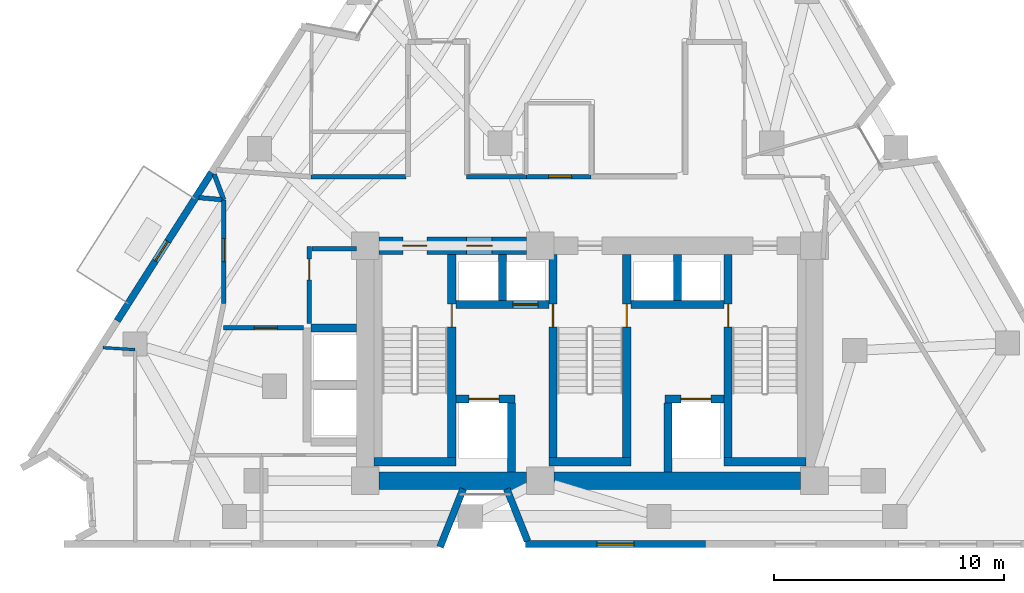
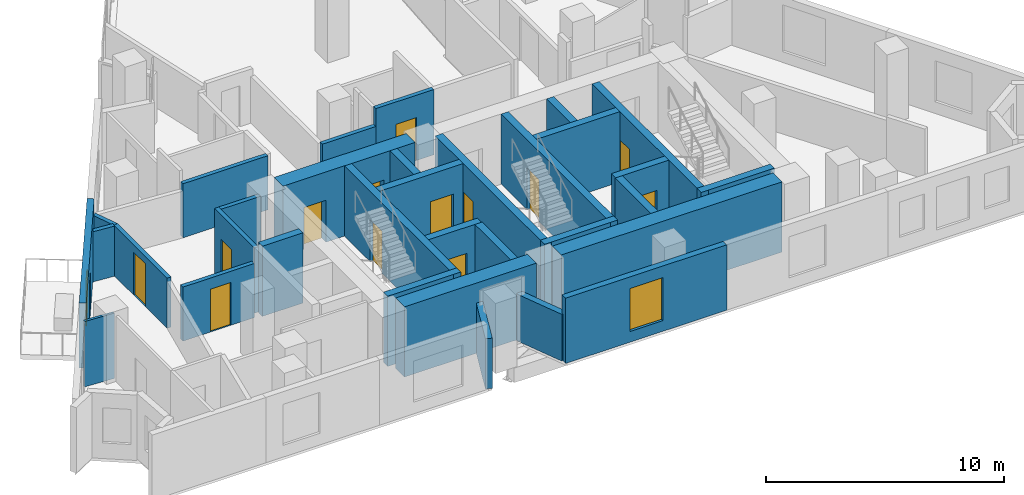
# One storey, part 7 of 11: 33 walls, 14 doors, 1 window, 15 openings.
"""IFC4 building model written with IfcOpenShell, lengths in metres."""

from ifc_helpers import new_model, si_unit, direction, frame, frame_2d, origin, place, context, subcontext, project, spatial, rectangle, extrude, material, layer, layer_set, type_object, element, fill, save


model = new_model("IFC4")

# Units and contexts
model_context = context("Model", 3, precision=1e-05, world=origin(), true_north=direction((0.0, 1.0)))
body_context = subcontext(model_context, "Body", "Model", "MODEL_VIEW")
ifc_project = project(units=[si_unit("LENGTHUNIT", "METRE"), si_unit("AREAUNIT", "SQUARE_METRE"), si_unit("VOLUMEUNIT", "CUBIC_METRE"), si_unit("PLANEANGLEUNIT", "RADIAN"), si_unit("MASSUNIT", "GRAM", prefix="KILO")], contexts=[model_context])

# Site, building, storey
site_placement = place(None, origin())
site = spatial("IfcSite", under=ifc_project, at=site_placement, CompositionType="ELEMENT")
building_placement = place(site_placement, origin())
building = spatial("IfcBuilding", under=site, at=building_placement, Name="Almagre Mirador Tower", CompositionType="ELEMENT")
storey_placement = place(building_placement, frame((0.0, 0.0, 142.800048828125)))
storey = spatial("IfcBuildingStorey", under=building, at=storey_placement, Name="L36", CompositionType="ELEMENT", Elevation=142.800048828125)

# Wall, opening, window
ifc_material_1 = material(Name="Precast concrete C50/60", Category="concrete")
ifc_layer_1 = layer(ifc_material_1, 0.300048828125)
ifc_layer_set_1 = layer_set([ifc_layer_1], Name="Precast concrete C50/60")
wall_type_1 = type_object("IfcWallType", Name="WAL-EXT-300", PredefinedType="SOLIDWALL", material=ifc_layer_set_1)
wall_1_placement = place(storey_placement, frame((42.31591796875, 1.800048828125, 0.0), z_axis=(0.0, 0.0, 1.0), x_axis=(-1.0, 0.0, 0.0)))
wall_1 = element("IfcWall", 1, at=wall_1_placement, inside=storey, type_object=wall_type_1, Name="L36 expressed almagre precast frame wall 21", PredefinedType="SOLIDWALL", context=body_context, shape_type="SweptSolid", body=[
    extrude(rectangle(XDim=7.81201171875, YDim=0.300048828125, at=frame_2d((3.906005859375, 0.0))), origin(), (0.0, 0.0, 1.0), 3.349853515625),
])
opening_1_placement = place(wall_1_placement, frame((3.10009765625, 0.0, 0.550048828125)))
opening_1 = element("IfcOpeningElement", 2, at=opening_1_placement, cuts=wall_1, Name="Opening WN-06", PredefinedType="OPENING", context=body_context, shape_type="SweptSolid", body=[
    extrude(rectangle(XDim=1.60009765625, YDim=2.199951171875, at=frame_2d((0.800048828125, 1.10009765625))), frame((0.0, 0.159902, 0.0), z_axis=(0.0, -1.0, 0.0), x_axis=(1.0, 0.0, 0.0)), (0.0, 0.0, 1.0), 0.320049),
])
ifc_material_2 = material(Name="Dark solar-control laminated hurricane glass", Category="glass")
window_type = type_object("IfcWindowType", Name="WIN-1600X2200", PartitioningType="DOUBLE_PANEL_VERTICAL", PredefinedType="WINDOW", material=ifc_material_2)
window_placement = place(opening_1_placement, origin())
window = element("IfcWindow", 3, at=window_placement, inside=storey, type_object=window_type, Name="L36 recessed hurricane window L36-UC-ST", OverallHeight=2.199951171875, OverallWidth=1.60009765625, PartitioningType="SINGLE_PANEL", PredefinedType="WINDOW", context=body_context, shape_type="SweptSolid", body=[
    extrude(rectangle(XDim=1.60009765625, YDim=2.199951171875, at=frame_2d((0.800048828125, 1.10009765625))), frame((0.0, 0.030029296875, 0.0), z_axis=(0.0, -1.0, 0.0), x_axis=(1.0, 0.0, 0.0)), (0.0, 0.0, 1.0), 0.06005859375),
])
fill(opening_1, window)

# Walls
wall_2_placement = place(storey_placement, frame((34.59228515625, 1.93017578125, 0.0), z_axis=(0.0, 0.0, 1.0), x_axis=(-0.369562555971, 0.929205852986, 0.0)))
element("IfcWall", 4, at=wall_2_placement, inside=storey, type_object=wall_type_1, Name="L36 expressed almagre precast frame wall 22", PredefinedType="SOLIDWALL", context=body_context, shape_type="SweptSolid", body=[
    extrude(rectangle(XDim=2.441650390625, YDim=0.300048828125, at=frame_2d((1.220703125, 0.0))), origin(), (0.0, 0.0, 1.0), 2.39794921875),
])
wall_3_placement = place(storey_placement, frame((31.798095703125, 4.198974609375, 0.0), z_axis=(0.0, 0.0, 1.0), x_axis=(-0.36956502288, -0.929204871847, 0.0)))
element("IfcWall", 5, at=wall_3_placement, inside=storey, type_object=wall_type_1, Name="L36 expressed almagre precast frame wall 23", PredefinedType="SOLIDWALL", context=body_context, shape_type="SweptSolid", body=[
    extrude(rectangle(XDim=2.7216796875, YDim=0.300048828125, at=frame_2d((1.36083984375, 0.0))), origin(), (0.0, 0.0, 1.0), 2.574951171875),
])

# Wall, opening, door
wall_4_placement = place(storey_placement, frame((16.77294921875, 11.493408203125, 0.0), z_axis=(0.0, 0.0, 1.0), x_axis=(0.537125937868, 0.843502060975, 0.0)))
wall_4 = element("IfcWall", 6, at=wall_4_placement, inside=storey, type_object=wall_type_1, Name="L36 expressed almagre precast frame wall 32", PredefinedType="SOLIDWALL", context=body_context, shape_type="SweptSolid", body=[
    extrude(rectangle(XDim=7.631591796875, YDim=0.300048828125, at=frame_2d((3.81591796875, 0.0))), origin(), (0.0, 0.0, 1.0), 3.349853515625),
])
opening_2_placement = place(wall_4_placement, frame((3.08935546875, 0.0, 0.0)))
opening_2 = element("IfcOpeningElement", 7, at=opening_2_placement, cuts=wall_4, Name="Opening BD-01", PredefinedType="OPENING", context=body_context, shape_type="SweptSolid", body=[
    extrude(rectangle(XDim=1.0, YDim=2.199951171875, at=frame_2d((0.5, 1.10009765625))), frame((0.0, 0.159902, 0.0), z_axis=(0.0, -1.0, 0.0), x_axis=(1.0, 0.0, 0.0)), (0.0, 0.0, 1.0), 0.320049),
])
ifc_material_3 = material(Name="Black anodized aluminium and laminated glass", Category="aluminium")
door_type_1 = type_object("IfcDoorType", Name="DOR-BAL-1000X2200", OperationType="NOTDEFINED", PredefinedType="DOOR", material=ifc_material_3)
door_1_placement = place(opening_2_placement, origin())
door_1 = element("IfcDoor", 8, at=door_1_placement, inside=storey, type_object=door_type_1, Name="DR-1167 L36 west balcony glazed door 2", OperationType="SINGLE_SWING_RIGHT", OverallHeight=2.199951171875, OverallWidth=1.0, PredefinedType="DOOR", context=body_context, shape_type="SweptSolid", body=[
    extrude(rectangle(XDim=1.0, YDim=2.199951171875, at=frame_2d((0.5, 1.10009765625))), frame((0.0, 0.02490234375, 0.0), z_axis=(0.0, -1.0, 0.0), x_axis=(1.0, 0.0, 0.0)), (0.0, 0.0, 1.0), 0.050048828125),
])
fill(opening_2, door_1)

# Wall
ifc_material_4 = material(Name="Gypsum acoustic stud partition", Category="other")
ifc_layer_2 = layer(ifc_material_4, 0.125)
ifc_layer_set_2 = layer_set([ifc_layer_2], Name="Gypsum acoustic stud partition")
wall_type_2 = type_object("IfcWallType", Name="WAL-PRT-125-UTL", PredefinedType="PARTITIONING", material=ifc_layer_set_2)
wall_5_placement = place(storey_placement, frame((16.159912109375, 10.3291015625, 0.0), z_axis=(0.0, 0.0, 1.0), x_axis=(0.997951740916, -0.063971265443, 0.0)))
element("IfcWall", 9, at=wall_5_placement, inside=storey, type_object=wall_type_2, Name="L36 interior partition 024", PredefinedType="PARTITIONING", context=body_context, shape_type="SweptSolid", body=[
    extrude(rectangle(XDim=1.39306640625, YDim=0.125, at=frame_2d((0.696533203125, 0.0))), origin(), (0.0, 0.0, 1.0), 3.349853515625),
])

# Wall, opening, door
ifc_material_5 = material(Name="Gypsum acoustic stud partition", Category="other")
ifc_layer_3 = layer(ifc_material_5, 0.199951171875)
ifc_layer_set_3 = layer_set([ifc_layer_3], Name="Gypsum acoustic stud partition")
wall_type_3 = type_object("IfcWallType", Name="WAL-PRT-200-EI60", PredefinedType="PARTITIONING", material=ifc_layer_set_3)
wall_6_placement = place(storey_placement, frame((25.1201171875, 11.3701171875, 0.0), z_axis=(0.0, 0.0, 1.0), x_axis=(0.0, 1.0, 0.0)))
wall_6 = element("IfcWall", 10, at=wall_6_placement, inside=storey, type_object=wall_type_3, Name="L36 core ancillary west wall", PredefinedType="PARTITIONING", context=body_context, shape_type="SweptSolid", body=[
    extrude(rectangle(XDim=3.33984375, YDim=0.199951171875, at=frame_2d((1.669921875, 0.0))), origin(), (0.0, 0.0, 1.0), 3.349853515625),
])
opening_3_placement = place(wall_6_placement, frame((1.89990234375, 0.0, 0.0)))
opening_3 = element("IfcOpeningElement", 11, at=opening_3_placement, cuts=wall_6, Name="Opening ID-03", PredefinedType="OPENING", context=body_context, shape_type="SweptSolid", body=[
    extrude(rectangle(XDim=0.89990234375, YDim=2.10009765625, at=frame_2d((0.449951171875, 1.050048828125))), frame((0.0, 0.110098, 0.0), z_axis=(0.0, -1.0, 0.0), x_axis=(1.0, 0.0, 0.0)), (0.0, 0.0, 1.0), 0.219951),
])
ifc_material_6 = material(Name="Fire-rated hollow steel", Category="steel")
door_type_2 = type_object("IfcDoorType", Name="DOR-FD60-900X2100", OperationType="NOTDEFINED", PredefinedType="DOOR", material=ifc_material_6)
door_2_placement = place(opening_3_placement, origin())
door_2 = element("IfcDoor", 12, at=door_2_placement, inside=storey, type_object=door_type_2, Name="DR-1168 L36 core ancillary corridor door", OperationType="SINGLE_SWING_LEFT", OverallHeight=2.10009765625, OverallWidth=0.89990234375, PredefinedType="DOOR", context=body_context, shape_type="SweptSolid", body=[
    extrude(rectangle(XDim=0.89990234375, YDim=2.10009765625, at=frame_2d((0.449951171875, 1.050048828125))), frame((0.0, 0.02490234375, 0.0), z_axis=(0.0, -1.0, 0.0), x_axis=(1.0, 0.0, 0.0)), (0.0, 0.0, 1.0), 0.050048828125),
])
fill(opening_3, door_2)

# Wall
wall_7_placement = place(storey_placement, frame((25.22509765625, 14.6201171875, 0.0), z_axis=(0.0, 0.0, 1.0), x_axis=(1.0, 0.0, 0.0)))
element("IfcWall", 13, at=wall_7_placement, inside=storey, type_object=wall_type_3, Name="L36 core ancillary north wall", PredefinedType="PARTITIONING", context=body_context, shape_type="SweptSolid", body=[
    extrude(rectangle(XDim=1.934814453125, YDim=0.199951171875, at=frame_2d((0.96728515625, 0.0))), origin(), (0.0, 0.0, 1.0), 3.349853515625),
])

# Wall, opening, door
wall_8_placement = place(storey_placement, frame((21.39990234375, 16.75, 0.0), z_axis=(0.0, 0.0, 1.0), x_axis=(0.0, -1.0, 0.0)))
wall_8 = element("IfcWall", 14, at=wall_8_placement, inside=storey, type_object=wall_type_3, Name="L36 interior partition 001", PredefinedType="PARTITIONING", context=body_context, shape_type="SweptSolid", body=[
    extrude(rectangle(XDim=4.5, YDim=0.199951171875, at=frame_2d((2.25, 0.0))), origin(), (0.0, 0.0, 1.0), 2.570068359375),
])
opening_4_placement = place(wall_8_placement, frame((1.6904296875, 0.0, 0.0)))
opening_4 = element("IfcOpeningElement", 15, at=opening_4_placement, cuts=wall_8, Name="Opening ID-01", PredefinedType="OPENING", context=body_context, shape_type="SweptSolid", body=[
    extrude(rectangle(XDim=1.0, YDim=2.199951171875, at=frame_2d((0.5, 1.10009765625))), frame((0.0, 0.110098, 0.0), z_axis=(0.0, -1.0, 0.0), x_axis=(1.0, 0.0, 0.0)), (0.0, 0.0, 1.0), 0.219951),
])
ifc_material_7 = material(Name="Fire-rated walnut timber", Category="wood")
door_type_3 = type_object("IfcDoorType", Name="DOR-FD60-1000X2200", OperationType="NOTDEFINED", PredefinedType="DOOR", material=ifc_material_7)
door_3_placement = place(opening_4_placement, origin())
door_3 = element("IfcDoor", 16, at=door_3_placement, inside=storey, type_object=door_type_3, Name="DR-1176 L36 interior door L36-RCOR to L36-UA-ST", OperationType="SINGLE_SWING_LEFT", OverallHeight=2.199951171875, OverallWidth=1.0, PredefinedType="DOOR", context=body_context, shape_type="SweptSolid", body=[
    extrude(rectangle(XDim=1.0, YDim=2.199951171875, at=frame_2d((0.5, 1.10009765625))), frame((0.0, 0.02490234375, 0.0), z_axis=(0.0, -1.0, 0.0), x_axis=(1.0, 0.0, 0.0)), (0.0, 0.0, 1.0), 0.050048828125),
])
fill(opening_4, door_3)

wall_9_placement = place(storey_placement, frame((21.39990234375, 11.199951171875, 0.0), z_axis=(0.0, 0.0, 1.0), x_axis=(1.0, 0.0, 0.0)))
wall_9 = element("IfcWall", 17, at=wall_9_placement, inside=storey, type_object=wall_type_3, Name="L36 interior partition 003", PredefinedType="PARTITIONING", context=body_context, shape_type="SweptSolid", body=[
    extrude(rectangle(XDim=3.46923828125, YDim=0.199951171875, at=frame_2d((1.734619140625, 0.0))), origin(), (0.0, 0.0, 1.0), 2.77099609375),
])
opening_5_placement = place(wall_9_placement, frame((1.334716796875, 0.0, 0.0)))
opening_5 = element("IfcOpeningElement", 18, at=opening_5_placement, cuts=wall_9, Name="Opening ID-01", PredefinedType="OPENING", context=body_context, shape_type="SweptSolid", body=[
    extrude(rectangle(XDim=1.0, YDim=2.199951171875, at=frame_2d((0.5, 1.10009765625))), frame((0.0, 0.110098, 0.0), z_axis=(0.0, -1.0, 0.0), x_axis=(1.0, 0.0, 0.0)), (0.0, 0.0, 1.0), 0.219951),
])
door_4_placement = place(opening_5_placement, origin())
door_4 = element("IfcDoor", 19, at=door_4_placement, inside=storey, type_object=door_type_3, Name="DR-1179 L36 interior door L36-RCOR to L36-UB-ST", OperationType="SINGLE_SWING_RIGHT", OverallHeight=2.199951171875, OverallWidth=1.0, PredefinedType="DOOR", context=body_context, shape_type="SweptSolid", body=[
    extrude(rectangle(XDim=1.0, YDim=2.199951171875, at=frame_2d((0.5, 1.10009765625))), frame((0.0, 0.02490234375, 0.0), z_axis=(0.0, -1.0, 0.0), x_axis=(1.0, 0.0, 0.0)), (0.0, 0.0, 1.0), 0.050048828125),
])
fill(opening_5, door_4)

# Walls
wall_10_placement = place(storey_placement, frame((20.988037109375, 17.85302734375, 0.0), z_axis=(0.0, 0.0, 1.0), x_axis=(0.349805121689, -0.936822489504, 0.0)))
element("IfcWall", 20, at=wall_10_placement, inside=storey, type_object=wall_type_3, Name="L36 interior partition 011", PredefinedType="PARTITIONING", context=body_context, shape_type="SweptSolid", body=[
    extrude(rectangle(XDim=1.177490234375, YDim=0.199951171875, at=frame_2d((0.5888671875, 0.0))), origin(), (0.0, 0.0, 1.0), 2.570068359375),
])
wall_11_placement = place(storey_placement, frame((29.31494140625, 17.75, 0.0), z_axis=(0.0, 0.0, 1.0), x_axis=(-1.0, 0.0, 0.0)))
element("IfcWall", 21, at=wall_11_placement, inside=storey, type_object=wall_type_3, Name="L36 interior partition 013", PredefinedType="PARTITIONING", context=body_context, shape_type="SweptSolid", body=[
    extrude(rectangle(XDim=4.125, YDim=0.199951171875, at=frame_2d((2.0625, 0.0))), origin(), (0.0, 0.0, 1.0), 2.77099609375),
])
wall_12_placement = place(storey_placement, frame((34.5400390625, 17.75, 0.0), z_axis=(0.0, 0.0, 1.0), x_axis=(-1.0, 0.0, 0.0)))
element("IfcWall", 22, at=wall_12_placement, inside=storey, type_object=wall_type_3, Name="L36 interior partition 014", PredefinedType="PARTITIONING", context=body_context, shape_type="SweptSolid", body=[
    extrude(rectangle(XDim=2.590087890625, YDim=0.199951171875, at=frame_2d((1.294921875, 0.0))), origin(), (0.0, 0.0, 1.0), 2.43603515625),
])

# Wall, opening, door
wall_13_placement = place(storey_placement, frame((37.35009765625, 17.75, 0.0), z_axis=(0.0, 0.0, 1.0), x_axis=(-1.0, 0.0, 0.0)))
wall_13 = element("IfcWall", 23, at=wall_13_placement, inside=storey, type_object=wall_type_3, Name="L36 interior partition 016", PredefinedType="PARTITIONING", context=body_context, shape_type="SweptSolid", body=[
    extrude(rectangle(XDim=2.81005859375, YDim=0.199951171875, at=frame_2d((1.405029296875, 0.0))), origin(), (0.0, 0.0, 1.0), 3.349853515625),
])
opening_6_placement = place(wall_13_placement, frame((0.84619140625, 0.0, 0.0)))
opening_6 = element("IfcOpeningElement", 24, at=opening_6_placement, cuts=wall_13, Name="Opening ID-01", PredefinedType="OPENING", context=body_context, shape_type="SweptSolid", body=[
    extrude(rectangle(XDim=1.0, YDim=2.199951171875, at=frame_2d((0.5, 1.10009765625))), frame((0.0, 0.110098, 0.0), z_axis=(0.0, -1.0, 0.0), x_axis=(1.0, 0.0, 0.0)), (0.0, 0.0, 1.0), 0.219951),
])
door_5_placement = place(opening_6_placement, origin())
door_5 = element("IfcDoor", 25, at=door_5_placement, inside=storey, type_object=door_type_3, Name="DR-1183 L36 interior door L36-RCOR to L36-UG-HB", OperationType="SINGLE_SWING_LEFT", OverallHeight=2.199951171875, OverallWidth=1.0, PredefinedType="DOOR", context=body_context, shape_type="SweptSolid", body=[
    extrude(rectangle(XDim=1.0, YDim=2.199951171875, at=frame_2d((0.5, 1.10009765625))), frame((0.0, 0.02490234375, 0.0), z_axis=(0.0, -1.0, 0.0), x_axis=(1.0, 0.0, 0.0)), (0.0, 0.0, 1.0), 0.050048828125),
])
fill(opening_6, door_5)

# Wall
wall_14_placement = place(storey_placement, frame((21.315185546875, 16.755615234375, 0.0), z_axis=(0.0, 0.0, 1.0), x_axis=(-0.996079342929, 0.088464357738, 0.0)))
element("IfcWall", 26, at=wall_14_placement, inside=storey, type_object=wall_type_3, Name="L36 interior partition 029", PredefinedType="PARTITIONING", context=body_context, shape_type="SweptSolid", body=[
    extrude(rectangle(XDim=0.9990234375, YDim=0.199951171875, at=frame_2d((0.49951171875, 0.0))), origin(), (0.0, 0.0, 1.0), 2.570068359375),
])

# Wall, opening, door
ifc_material_8 = material(Name="Concrete C60/75", Category="concrete")
ifc_layer_4 = layer(ifc_material_8, 0.35009765625)
ifc_layer_set_4 = layer_set([ifc_layer_4], Name="Concrete C60/75")
wall_type_4 = type_object("IfcWallType", Name="WAL-SHF-350", PredefinedType="SOLIDWALL", material=ifc_layer_set_4)
wall_15_placement = place(storey_placement, frame((31.300048828125, 5.199951171875, 0.0), z_axis=(0.0, 0.0, 1.0), x_axis=(0.0, 1.0, 0.0)))
wall_15 = element("IfcWall", 27, at=wall_15_placement, inside=storey, type_object=wall_type_4, Name="L36 shaft wall ST1-E", PredefinedType="SOLIDWALL", context=body_context, shape_type="SweptSolid", body=[
    extrude(rectangle(XDim=9.175048828125, YDim=0.35009765625, at=frame_2d((4.58740234375, 0.0))), origin(), (0.0, 0.0, 1.0), 3.599853515625),
])
opening_7_placement = place(wall_15_placement, frame((6.02001953125, 0.0, 0.0)))
opening_7 = element("IfcOpeningElement", 28, at=opening_7_placement, cuts=wall_15, Name="Opening FD-01", PredefinedType="OPENING", context=body_context, shape_type="SweptSolid", body=[
    extrude(rectangle(XDim=1.0, YDim=2.14990234375, at=frame_2d((0.5, 1.074951171875))), frame((0.0, 0.185049, 0.0), z_axis=(0.0, -1.0, 0.0), x_axis=(1.0, 0.0, 0.0)), (0.0, 0.0, 1.0), 0.370098),
])
ifc_material_9 = material(Name="Fire-rated hollow steel", Category="steel")
door_type_4 = type_object("IfcDoorType", Name="DOR-FFL-1000X2150", OperationType="NOTDEFINED", PredefinedType="DOOR", material=ifc_material_9)
door_6_placement = place(opening_7_placement, origin())
door_6 = element("IfcDoor", 29, at=door_6_placement, inside=storey, type_object=door_type_4, Name="DR-1169 L36 FFL1-ST1 smokeproof door", OperationType="SINGLE_SWING_LEFT", OverallHeight=2.14990234375, OverallWidth=1.0, PredefinedType="DOOR", context=body_context, shape_type="SweptSolid", body=[
    extrude(rectangle(XDim=1.0, YDim=2.14990234375, at=frame_2d((0.5, 1.074951171875))), frame((0.0, 0.02490234375, 0.0), z_axis=(0.0, -1.0, 0.0), x_axis=(1.0, 0.0, 0.0)), (0.0, 0.0, 1.0), 0.050048828125),
])
fill(opening_7, door_6)

# Wall
wall_16_placement = place(storey_placement, frame((27.925048828125, 5.375, 0.0), z_axis=(0.0, 0.0, 1.0), x_axis=(1.0, 0.0, 0.0)))
element("IfcWall", 30, at=wall_16_placement, inside=storey, type_object=wall_type_4, Name="L36 shaft wall ST1-S", PredefinedType="SOLIDWALL", context=body_context, shape_type="SweptSolid", body=[
    extrude(rectangle(XDim=3.550048828125, YDim=0.35009765625, at=frame_2d((1.77490234375, 0.0))), origin(), (0.0, 0.0, 1.0), 3.599853515625),
])

# Wall, opening, door
wall_17_placement = place(storey_placement, frame((35.699951171875, 5.199951171875, 0.0), z_axis=(0.0, 0.0, 1.0), x_axis=(0.0, 1.0, 0.0)))
wall_17 = element("IfcWall", 31, at=wall_17_placement, inside=storey, type_object=wall_type_4, Name="L36 shaft wall ST2-W", PredefinedType="SOLIDWALL", context=body_context, shape_type="SweptSolid", body=[
    extrude(rectangle(XDim=9.175048828125, YDim=0.35009765625, at=frame_2d((4.58740234375, 0.0))), origin(), (0.0, 0.0, 1.0), 3.599853515625),
])
opening_8_placement = place(wall_17_placement, frame((6.02001953125, 0.0, 0.0)))
opening_8 = element("IfcOpeningElement", 32, at=opening_8_placement, cuts=wall_17, Name="Opening FD-01", PredefinedType="OPENING", context=body_context, shape_type="SweptSolid", body=[
    extrude(rectangle(XDim=1.0, YDim=2.14990234375, at=frame_2d((0.5, 1.074951171875))), frame((0.0, 0.185049, 0.0), z_axis=(0.0, -1.0, 0.0), x_axis=(1.0, 0.0, 0.0)), (0.0, 0.0, 1.0), 0.370098),
])
door_7_placement = place(opening_8_placement, origin())
door_7 = element("IfcDoor", 33, at=door_7_placement, inside=storey, type_object=door_type_4, Name="DR-1170 L36 FFL1-ST2 smokeproof door", OperationType="SINGLE_SWING_RIGHT", OverallHeight=2.14990234375, OverallWidth=1.0, PredefinedType="DOOR", context=body_context, shape_type="SweptSolid", body=[
    extrude(rectangle(XDim=1.0, YDim=2.14990234375, at=frame_2d((0.5, 1.074951171875))), frame((0.0, 0.02490234375, 0.0), z_axis=(0.0, -1.0, 0.0), x_axis=(1.0, 0.0, 0.0)), (0.0, 0.0, 1.0), 0.050048828125),
])
fill(opening_8, door_7)

wall_18_placement = place(storey_placement, frame((38.89990234375, 5.199951171875, 0.0), z_axis=(0.0, 0.0, 1.0), x_axis=(0.0, 1.0, 0.0)))
wall_18 = element("IfcWall", 34, at=wall_18_placement, inside=storey, type_object=wall_type_4, Name="L36 shaft wall ST2-E", PredefinedType="SOLIDWALL", context=body_context, shape_type="SweptSolid", body=[
    extrude(rectangle(XDim=9.175048828125, YDim=0.35009765625, at=frame_2d((4.58740234375, 0.0))), origin(), (0.0, 0.0, 1.0), 3.599853515625),
])
opening_9_placement = place(wall_18_placement, frame((6.02001953125, 0.0, 0.0)))
opening_9 = element("IfcOpeningElement", 35, at=opening_9_placement, cuts=wall_18, Name="Opening FD-01", PredefinedType="OPENING", context=body_context, shape_type="SweptSolid", body=[
    extrude(rectangle(XDim=1.0, YDim=2.14990234375, at=frame_2d((0.5, 1.074951171875))), frame((0.0, 0.185049, 0.0), z_axis=(0.0, -1.0, 0.0), x_axis=(1.0, 0.0, 0.0)), (0.0, 0.0, 1.0), 0.370098),
])
door_8_placement = place(opening_9_placement, origin())
door_8 = element("IfcDoor", 36, at=door_8_placement, inside=storey, type_object=door_type_4, Name="DR-1171 L36 FFL2-ST2 smokeproof door", OperationType="SINGLE_SWING_LEFT", OverallHeight=2.14990234375, OverallWidth=1.0, PredefinedType="DOOR", context=body_context, shape_type="SweptSolid", body=[
    extrude(rectangle(XDim=1.0, YDim=2.14990234375, at=frame_2d((0.5, 1.074951171875))), frame((0.0, 0.02490234375, 0.0), z_axis=(0.0, -1.0, 0.0), x_axis=(1.0, 0.0, 0.0)), (0.0, 0.0, 1.0), 0.050048828125),
])
fill(opening_9, door_8)

# Wall
wall_19_placement = place(storey_placement, frame((35.52490234375, 5.375, 0.0), z_axis=(0.0, 0.0, 1.0), x_axis=(1.0, 0.0, 0.0)))
element("IfcWall", 37, at=wall_19_placement, inside=storey, type_object=wall_type_4, Name="L36 shaft wall ST2-S", PredefinedType="SOLIDWALL", context=body_context, shape_type="SweptSolid", body=[
    extrude(rectangle(XDim=3.550048828125, YDim=0.35009765625, at=frame_2d((1.77490234375, 0.0))), origin(), (0.0, 0.0, 1.0), 3.599853515625),
])

# Wall, opening, door
wall_20_placement = place(storey_placement, frame((43.300048828125, 5.199951171875, 0.0), z_axis=(0.0, 0.0, 1.0), x_axis=(0.0, 1.0, 0.0)))
wall_20 = element("IfcWall", 38, at=wall_20_placement, inside=storey, type_object=wall_type_4, Name="L36 shaft wall ST3-W", PredefinedType="SOLIDWALL", context=body_context, shape_type="SweptSolid", body=[
    extrude(rectangle(XDim=9.175048828125, YDim=0.35009765625, at=frame_2d((4.58740234375, 0.0))), origin(), (0.0, 0.0, 1.0), 3.599853515625),
])
opening_10_placement = place(wall_20_placement, frame((6.02001953125, 0.0, 0.0)))
opening_10 = element("IfcOpeningElement", 39, at=opening_10_placement, cuts=wall_20, Name="Opening FD-01", PredefinedType="OPENING", context=body_context, shape_type="SweptSolid", body=[
    extrude(rectangle(XDim=1.0, YDim=2.14990234375, at=frame_2d((0.5, 1.074951171875))), frame((0.0, 0.185049, 0.0), z_axis=(0.0, -1.0, 0.0), x_axis=(1.0, 0.0, 0.0)), (0.0, 0.0, 1.0), 0.370098),
])
door_9_placement = place(opening_10_placement, origin())
door_9 = element("IfcDoor", 40, at=door_9_placement, inside=storey, type_object=door_type_4, Name="DR-1172 L36 FFL2-ST3 smokeproof door", OperationType="SINGLE_SWING_RIGHT", OverallHeight=2.14990234375, OverallWidth=1.0, PredefinedType="DOOR", context=body_context, shape_type="SweptSolid", body=[
    extrude(rectangle(XDim=1.0, YDim=2.14990234375, at=frame_2d((0.5, 1.074951171875))), frame((0.0, 0.02490234375, 0.0), z_axis=(0.0, -1.0, 0.0), x_axis=(1.0, 0.0, 0.0)), (0.0, 0.0, 1.0), 0.050048828125),
])
fill(opening_10, door_9)

# Wall
wall_21_placement = place(storey_placement, frame((43.125, 5.375, 0.0), z_axis=(0.0, 0.0, 1.0), x_axis=(1.0, 0.0, 0.0)))
element("IfcWall", 41, at=wall_21_placement, inside=storey, type_object=wall_type_4, Name="L36 shaft wall ST3-S", PredefinedType="SOLIDWALL", context=body_context, shape_type="SweptSolid", body=[
    extrude(rectangle(XDim=3.550048828125, YDim=0.35009765625, at=frame_2d((1.77490234375, 0.0))), origin(), (0.0, 0.0, 1.0), 3.599853515625),
])

# Wall, opening, door
wall_22_placement = place(storey_placement, frame((31.47509765625, 8.10009765625, 0.0), z_axis=(0.0, 0.0, 1.0), x_axis=(1.0, 0.0, 0.0)))
wall_22 = element("IfcWall", 42, at=wall_22_placement, inside=storey, type_object=wall_type_4, Name="L36 shaft wall FSAE1-N", PredefinedType="SOLIDWALL", context=body_context, shape_type="SweptSolid", body=[
    extrude(rectangle(XDim=2.574951171875, YDim=0.35009765625, at=frame_2d((1.28759765625, 0.0))), origin(), (0.0, 0.0, 1.0), 3.599853515625),
])
opening_11_placement = place(wall_22_placement, frame((0.574951171875, 0.0, 0.0)))
opening_11 = element("IfcOpeningElement", 43, at=opening_11_placement, cuts=wall_22, Name="Opening LD-03", PredefinedType="OPENING", context=body_context, shape_type="SweptSolid", body=[
    extrude(rectangle(XDim=1.300048828125, YDim=2.25, at=frame_2d((0.64990234375, 1.125))), frame((0.0, 0.185049, 0.0), z_axis=(0.0, -1.0, 0.0), x_axis=(1.0, 0.0, 0.0)), (0.0, 0.0, 1.0), 0.370098),
])
ifc_material_10 = material(Name="Hollow stainless steel", Category="steel")
door_type_5 = type_object("IfcDoorType", Name="DOR-LD-1300X2250", OperationType="DOUBLE_DOOR_SLIDING", PredefinedType="DOOR", material=ifc_material_10)
door_10_placement = place(opening_11_placement, origin())
door_10 = element("IfcDoor", 44, at=door_10_placement, inside=storey, type_object=door_type_5, Name="DR-1184 L36 FSAE-1 lift landing door", OperationType="DOUBLE_DOOR_SLIDING", OverallHeight=2.25, OverallWidth=1.300048828125, PredefinedType="DOOR", context=body_context, shape_type="SweptSolid", body=[
    extrude(rectangle(XDim=1.300048828125, YDim=2.25, at=frame_2d((0.64990234375, 1.125))), frame((0.0, 0.02490234375, 0.0), z_axis=(0.0, -1.0, 0.0), x_axis=(1.0, 0.0, 0.0)), (0.0, 0.0, 1.0), 0.050048828125),
])
fill(opening_11, door_10)

wall_23_placement = place(storey_placement, frame((40.550048828125, 8.10009765625, 0.0), z_axis=(0.0, 0.0, 1.0), x_axis=(1.0, 0.0, 0.0)))
wall_23 = element("IfcWall", 45, at=wall_23_placement, inside=storey, type_object=wall_type_4, Name="L36 shaft wall FSAE2-N", PredefinedType="SOLIDWALL", context=body_context, shape_type="SweptSolid", body=[
    extrude(rectangle(XDim=2.574951171875, YDim=0.35009765625, at=frame_2d((1.28759765625, 0.0))), origin(), (0.0, 0.0, 1.0), 3.599853515625),
])
opening_12_placement = place(wall_23_placement, frame((0.699951171875, 0.0, 0.0)))
opening_12 = element("IfcOpeningElement", 46, at=opening_12_placement, cuts=wall_23, Name="Opening LD-03", PredefinedType="OPENING", context=body_context, shape_type="SweptSolid", body=[
    extrude(rectangle(XDim=1.300048828125, YDim=2.25, at=frame_2d((0.64990234375, 1.125))), frame((0.0, 0.185049, 0.0), z_axis=(0.0, -1.0, 0.0), x_axis=(1.0, 0.0, 0.0)), (0.0, 0.0, 1.0), 0.370098),
])
door_11_placement = place(opening_12_placement, origin())
door_11 = element("IfcDoor", 47, at=door_11_placement, inside=storey, type_object=door_type_5, Name="DR-1185 L36 FSAE-2 lift landing door", OperationType="DOUBLE_DOOR_SLIDING", OverallHeight=2.25, OverallWidth=1.300048828125, PredefinedType="DOOR", context=body_context, shape_type="SweptSolid", body=[
    extrude(rectangle(XDim=1.300048828125, YDim=2.25, at=frame_2d((0.64990234375, 1.125))), frame((0.0, 0.02490234375, 0.0), z_axis=(0.0, -1.0, 0.0), x_axis=(1.0, 0.0, 0.0)), (0.0, 0.0, 1.0), 0.050048828125),
])
fill(opening_12, door_11)

# Walls
for number, where, z_axis, x_axis, name in (
    (48, (33.89990234375, 4.925048828125, 0.0), (0.0, 0.0, 1.0), (0.0, 1.0, 0.0), "L36 shaft wall FSAE1-E"),
    (49, (40.699951171875, 4.925048828125, 0.0), (0.0, 0.0, 1.0), (0.0, 1.0, 0.0), "L36 shaft wall FSAE2-W"),
):
    element("IfcWall", number, at=place(storey_placement, frame(where, z_axis=z_axis, x_axis=x_axis)), inside=storey, type_object=wall_type_4, Name=name, PredefinedType="SOLIDWALL", context=body_context, shape_type="SweptSolid", body=[
        extrude(rectangle(XDim=3.0, YDim=0.35009765625, at=frame_2d((1.5, 0.0))), origin(), (0.0, 0.0, 1.0), 3.599853515625),
    ])

# Wall, opening, door
wall_24_placement = place(storey_placement, frame((31.47509765625, 12.199951171875, 0.0), z_axis=(0.0, 0.0, 1.0), x_axis=(1.0, 0.0, 0.0)))
wall_24 = element("IfcWall", 50, at=wall_24_placement, inside=storey, type_object=wall_type_4, Name="L36 shaft wall PLM-S", PredefinedType="SOLIDWALL", context=body_context, shape_type="SweptSolid", body=[
    extrude(rectangle(XDim=4.0498046875, YDim=0.35009765625, at=frame_2d((2.02490234375, 0.0))), origin(), (0.0, 0.0, 1.0), 3.599853515625),
])
opening_13_placement = place(wall_24_placement, frame((2.47509765625, 0.0, 0.0)))
opening_13 = element("IfcOpeningElement", 51, at=opening_13_placement, cuts=wall_24, Name="Opening LD-01", PredefinedType="OPENING", context=body_context, shape_type="SweptSolid", body=[
    extrude(rectangle(XDim=1.10009765625, YDim=2.199951171875, at=frame_2d((0.550048828125, 1.10009765625))), frame((0.0, 0.185049, 0.0), z_axis=(0.0, -1.0, 0.0), x_axis=(1.0, 0.0, 0.0)), (0.0, 0.0, 1.0), 0.370098),
])
ifc_material_11 = material(Name="Hollow stainless steel", Category="steel")
door_type_6 = type_object("IfcDoorType", Name="DOR-LD-1100X2200", OperationType="DOUBLE_DOOR_SLIDING", PredefinedType="DOOR", material=ifc_material_11)
door_12_placement = place(opening_13_placement, origin())
door_12 = element("IfcDoor", 52, at=door_12_placement, inside=storey, type_object=door_type_6, Name="DR-1187 L36 PL-M2 lift landing door", OperationType="DOUBLE_DOOR_SLIDING", OverallHeight=2.199951171875, OverallWidth=1.10009765625, PredefinedType="DOOR", context=body_context, shape_type="SweptSolid", body=[
    extrude(rectangle(XDim=1.10009765625, YDim=2.199951171875, at=frame_2d((0.550048828125, 1.10009765625))), frame((0.0, 0.02490234375, 0.0), z_axis=(0.0, -1.0, 0.0), x_axis=(1.0, 0.0, 0.0)), (0.0, 0.0, 1.0), 0.050048828125),
])
fill(opening_13, door_12)

# Walls
wall_25_placement = place(storey_placement, frame((33.5, 12.375, 0.0), z_axis=(0.0, 0.0, 1.0), x_axis=(0.0, 1.0, 0.0)))
element("IfcWall", 53, at=wall_25_placement, inside=storey, type_object=wall_type_4, Name="L36 shaft wall PLM-M", PredefinedType="SOLIDWALL", context=body_context, shape_type="SweptSolid", body=[
    extrude(rectangle(XDim=2.0, YDim=0.35009765625, at=frame_2d((1.0, 0.0))), origin(), (0.0, 0.0, 1.0), 3.599853515625),
])
wall_26_placement = place(storey_placement, frame((39.074951171875, 12.199951171875, 0.0), z_axis=(0.0, 0.0, 1.0), x_axis=(1.0, 0.0, 0.0)))
element("IfcWall", 54, at=wall_26_placement, inside=storey, type_object=wall_type_4, Name="L36 shaft wall PLH-S", PredefinedType="SOLIDWALL", context=body_context, shape_type="SweptSolid", body=[
    extrude(rectangle(XDim=4.050048828125, YDim=0.35009765625, at=frame_2d((2.02490234375, 0.0))), origin(), (0.0, 0.0, 1.0), 3.599853515625),
])
wall_27_placement = place(storey_placement, frame((41.10009765625, 12.375, 0.0), z_axis=(0.0, 0.0, 1.0), x_axis=(0.0, 1.0, 0.0)))
element("IfcWall", 55, at=wall_27_placement, inside=storey, type_object=wall_type_4, Name="L36 shaft wall PLH-M", PredefinedType="SOLIDWALL", context=body_context, shape_type="SweptSolid", body=[
    extrude(rectangle(XDim=2.0, YDim=0.35009765625, at=frame_2d((1.0, 0.0))), origin(), (0.0, 0.0, 1.0), 3.599853515625),
])
wall_28_placement = place(storey_placement, frame((25.199951171875, 11.175048828125, 0.0), z_axis=(0.0, 0.0, 1.0), x_axis=(1.0, 0.0, 0.0)))
element("IfcWall", 56, at=wall_28_placement, inside=storey, type_object=wall_type_4, Name="L36 shaft wall OL-N", PredefinedType="SOLIDWALL", context=body_context, shape_type="SweptSolid", body=[
    extrude(rectangle(XDim=1.97509765625, YDim=0.35009765625, at=frame_2d((0.987548828125, 0.0))), origin(), (0.0, 0.0, 1.0), 3.599853515625),
])
ifc_material_12 = material(Name="Concrete C60/75", Category="concrete")
ifc_layer_5 = layer(ifc_material_12, 0.75)
ifc_layer_set_5 = layer_set([ifc_layer_5], Name="Concrete C60/75")
wall_type_5 = type_object("IfcWallType", Name="WAL-SHR-750", PredefinedType="SHEAR", material=ifc_layer_set_5)
wall_29_placement = place(storey_placement, frame((28.14990234375, 4.550048828125, 0.0), z_axis=(0.0, 0.0, 1.0), x_axis=(1.0, 0.0, 0.0)))
element("IfcWall", 57, at=wall_29_placement, inside=storey, type_object=wall_type_5, Name="L36 core shear wall S1", PredefinedType="SHEAR", context=body_context, shape_type="SweptSolid", body=[
    extrude(rectangle(XDim=6.400146484375, YDim=0.75, at=frame_2d((3.2001953125, 0.0))), origin(), (0.0, 0.0, 1.0), 3.599853515625),
])
wall_30_placement = place(storey_placement, frame((35.75, 4.550048828125, 0.0), z_axis=(0.0, 0.0, 1.0), x_axis=(1.0, 0.0, 0.0)))
element("IfcWall", 58, at=wall_30_placement, inside=storey, type_object=wall_type_5, Name="L36 core shear wall S2", PredefinedType="SHEAR", context=body_context, shape_type="SweptSolid", body=[
    extrude(rectangle(XDim=10.699951171875, YDim=0.75, at=frame_2d((5.35009765625, 0.0))), origin(), (0.0, 0.0, 1.0), 3.599853515625),
])

# Wall, openings, doors
wall_31_placement = place(storey_placement, frame((28.14990234375, 14.75, 0.0), z_axis=(0.0, 0.0, 1.0), x_axis=(1.0, 0.0, 0.0)))
wall_31 = element("IfcWall", 59, at=wall_31_placement, inside=storey, type_object=wall_type_5, Name="L36 core shear wall N1", PredefinedType="SHEAR", context=body_context, shape_type="SweptSolid", body=[
    extrude(rectangle(XDim=6.400146484375, YDim=0.75, at=frame_2d((3.2001953125, 0.0))), origin(), (0.0, 0.0, 1.0), 3.599853515625),
])
opening_14_placement = place(wall_31_placement, frame((1.02490234375, 0.0, 0.0)))
opening_14 = element("IfcOpeningElement", 60, at=opening_14_placement, cuts=wall_31, Name="Opening SD-01", PredefinedType="OPENING", context=body_context, shape_type="SweptSolid", body=[
    extrude(rectangle(XDim=1.050048828125, YDim=2.14990234375, at=frame_2d((0.52490234375, 1.074951171875))), frame((0.0, 0.385, 0.0), z_axis=(0.0, -1.0, 0.0), x_axis=(1.0, 0.0, 0.0)), (0.0, 0.0, 1.0), 0.77),
])
opening_15_placement = place(wall_31_placement, frame((3.800048828125, 0.0, 0.0)))
opening_15 = element("IfcOpeningElement", 61, at=opening_15_placement, cuts=wall_31, Name="Opening LD-01", PredefinedType="OPENING", context=body_context, shape_type="SweptSolid", body=[
    extrude(rectangle(XDim=1.10009765625, YDim=2.199951171875, at=frame_2d((0.550048828125, 1.10009765625))), frame((0.0, 0.385, 0.0), z_axis=(0.0, -1.0, 0.0), x_axis=(1.0, 0.0, 0.0)), (0.0, 0.0, 1.0), 0.77),
])
door_13_placement = place(opening_15_placement, origin())
door_13 = element("IfcDoor", 62, at=door_13_placement, inside=storey, type_object=door_type_6, Name="DR-1186 L36 PL-M1 lift landing door", OperationType="DOUBLE_DOOR_SLIDING", OverallHeight=2.199951171875, OverallWidth=1.10009765625, PredefinedType="DOOR", context=body_context, shape_type="SweptSolid", body=[
    extrude(rectangle(XDim=1.10009765625, YDim=2.199951171875, at=frame_2d((0.550048828125, 1.10009765625))), frame((0.0, 0.02490234375, 0.0), z_axis=(0.0, -1.0, 0.0), x_axis=(1.0, 0.0, 0.0)), (0.0, 0.0, 1.0), 0.050048828125),
])
fill(opening_15, door_13)
ifc_material_13 = material(Name="Fire-rated hollow steel", Category="steel")
door_type_7 = type_object("IfcDoorType", Name="DOR-ST-1050X2150", OperationType="NOTDEFINED", PredefinedType="DOOR", material=ifc_material_13)
door_14_placement = place(opening_14_placement, origin())
door_14 = element("IfcDoor", 63, at=door_14_placement, inside=storey, type_object=door_type_7, Name="DR-1188 L36 protected exit stair ST-1 door", OperationType="SINGLE_SWING_RIGHT", OverallHeight=2.14990234375, OverallWidth=1.050048828125, PredefinedType="DOOR", context=body_context, shape_type="SweptSolid", body=[
    extrude(rectangle(XDim=1.050048828125, YDim=2.14990234375, at=frame_2d((0.52490234375, 1.074951171875))), frame((0.0, 0.02490234375, 0.0), z_axis=(0.0, -1.0, 0.0), x_axis=(1.0, 0.0, 0.0)), (0.0, 0.0, 1.0), 0.050048828125),
])
fill(opening_14, door_14)

save(model, "model.ifc")
